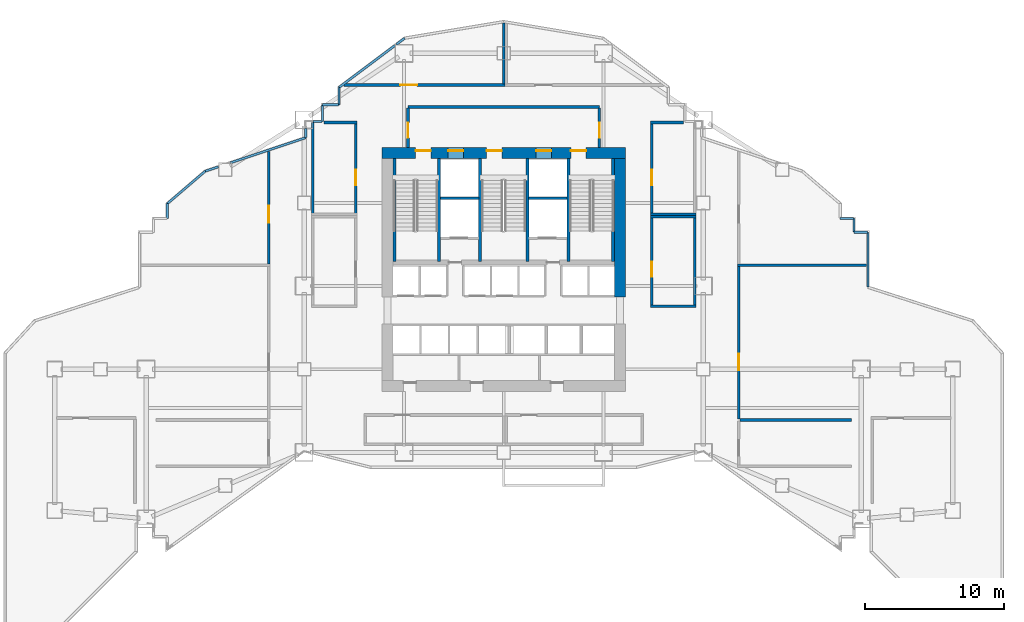
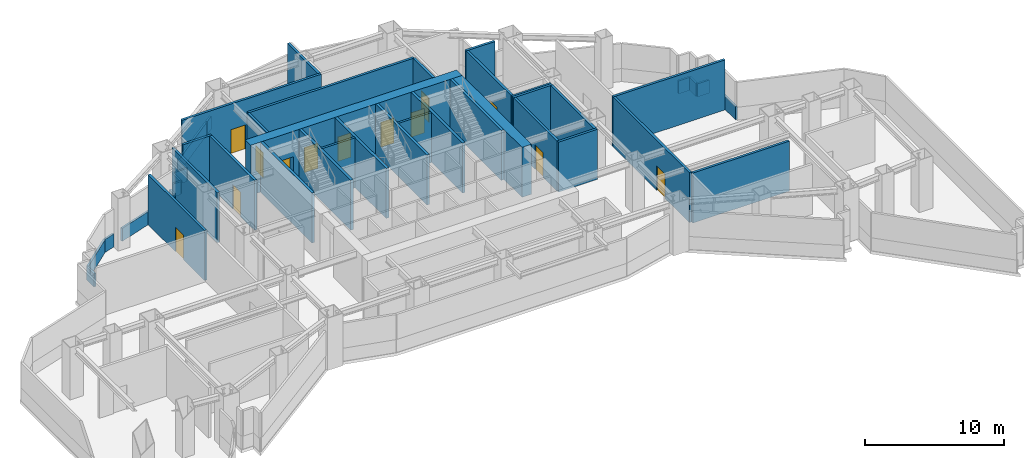
# One storey, part 4 of 12: 44 walls, 13 doors, 13 openings.
"""IFC4 building model written with IfcOpenShell, lengths in metres."""

from ifc_helpers import new_model, si_unit, direction, frame, frame_2d, origin, place, context, subcontext, project, spatial, rectangle, extrude, material, layer, layer_set, type_object, element, fill, save


model = new_model("IFC4")

# Units and contexts
model_context = context("Model", 3, precision=1e-05, world=origin(), true_north=direction((0.0, 1.0)))
body_context = subcontext(model_context, "Body", "Model", "MODEL_VIEW")
ifc_project = project(units=[si_unit("LENGTHUNIT", "METRE"), si_unit("AREAUNIT", "SQUARE_METRE"), si_unit("VOLUMEUNIT", "CUBIC_METRE"), si_unit("PLANEANGLEUNIT", "RADIAN"), si_unit("MASSUNIT", "GRAM", prefix="KILO")], contexts=[model_context])

# Site, building, storey
site_placement = place(None, origin())
site = spatial("IfcSite", under=ifc_project, at=site_placement, CompositionType="ELEMENT")
building_placement = place(site_placement, origin())
building = spatial("IfcBuilding", under=site, at=building_placement, Name="Haolan Belvedere Tower", CompositionType="ELEMENT")
storey_placement = place(building_placement, frame((0.0, 0.0, 43.0)))
storey = spatial("IfcBuildingStorey", under=building, at=storey_placement, Name="L10", CompositionType="ELEMENT", Elevation=43.0)

# Wall, openings, doors
ifc_material_1 = material(Name="Concrete C70/85", Category="concrete")
ifc_layer_1 = layer(ifc_material_1, 0.800048828125, Name="Concrete C70/85")
ifc_layer_set_1 = layer_set([ifc_layer_1], Name="Concrete C70/85")
wall_type_1 = type_object("IfcWallType", Name="WL-CORE-800", PredefinedType="SHEAR", material=ifc_layer_set_1)
wall_1_placement = place(storey_placement, frame((29.60009765625, 43.199951171875, 0.0), z_axis=(0.0, 0.0, 1.0), x_axis=(1.0, 0.0, 0.0)))
wall_1 = element("IfcWall", 1, at=wall_1_placement, inside=storey, type_object=wall_type_1, Name="L10 central core north shear wall", PredefinedType="SHEAR", context=body_context, shape_type="SweptSolid", body=[
    extrude(rectangle(XDim=17.599853515625, YDim=0.800048828125, at=frame_2d((8.7998046875, 0.0))), origin(), (0.0, 0.0, 1.0), 4.39990234375),
])
opening_1_placement = place(wall_1_placement, frame((2.449951171875, 0.0, 0.0)))
opening_1 = element("IfcOpeningElement", 2, at=opening_1_placement, cuts=wall_1, Name="Opening FD-03", PredefinedType="OPENING", context=body_context, shape_type="SweptSolid", body=[
    extrude(rectangle(XDim=1.10009765625, YDim=2.14990234375, at=frame_2d((0.550048828125, 1.074951171875))), frame((0.0, 0.409912109375, 0.0), z_axis=(0.0, -1.0, 0.0), x_axis=(1.0, 0.0, 0.0)), (0.0, 0.0, 1.0), 0.820068359375),
])
opening_2_placement = place(wall_1_placement, frame((7.56005859375, 0.0, 0.0)))
opening_2 = element("IfcOpeningElement", 3, at=opening_2_placement, cuts=wall_1, Name="Opening FD-03", PredefinedType="OPENING", context=body_context, shape_type="SweptSolid", body=[
    extrude(rectangle(XDim=1.10009765625, YDim=2.14990234375, at=frame_2d((0.550048828125, 1.074951171875))), frame((0.0, 0.409912109375, 0.0), z_axis=(0.0, -1.0, 0.0), x_axis=(1.0, 0.0, 0.0)), (0.0, 0.0, 1.0), 0.820068359375),
])
opening_3_placement = place(wall_1_placement, frame((13.64990234375, 0.0, 0.0)))
opening_3 = element("IfcOpeningElement", 4, at=opening_3_placement, cuts=wall_1, Name="Opening FD-03", PredefinedType="OPENING", context=body_context, shape_type="SweptSolid", body=[
    extrude(rectangle(XDim=1.10009765625, YDim=2.14990234375, at=frame_2d((0.550048828125, 1.074951171875))), frame((0.0, 0.409912109375, 0.0), z_axis=(0.0, -1.0, 0.0), x_axis=(1.0, 0.0, 0.0)), (0.0, 0.0, 1.0), 0.820068359375),
])
opening_4_placement = place(wall_1_placement, frame((4.780029296875, 0.0, 0.0)))
opening_4 = element("IfcOpeningElement", 5, at=opening_4_placement, cuts=wall_1, Name="Opening LD-01", PredefinedType="OPENING", context=body_context, shape_type="SweptSolid", body=[
    extrude(rectangle(XDim=1.10009765625, YDim=2.199951171875, at=frame_2d((0.550048828125, 1.10009765625))), frame((0.0, 0.409912109375, 0.0), z_axis=(0.0, -1.0, 0.0), x_axis=(1.0, 0.0, 0.0)), (0.0, 0.0, 1.0), 0.820068359375),
])
opening_5_placement = place(wall_1_placement, frame((11.139892578125, 0.0, 0.0)))
opening_5 = element("IfcOpeningElement", 6, at=opening_5_placement, cuts=wall_1, Name="Opening LD-01", PredefinedType="OPENING", context=body_context, shape_type="SweptSolid", body=[
    extrude(rectangle(XDim=1.10009765625, YDim=2.199951171875, at=frame_2d((0.550048828125, 1.10009765625))), frame((0.0, 0.409912109375, 0.0), z_axis=(0.0, -1.0, 0.0), x_axis=(1.0, 0.0, 0.0)), (0.0, 0.0, 1.0), 0.820068359375),
])
ifc_material_2 = material(Name="Galvanised fire-rated steel", Category="steel")
door_type_1 = type_object("IfcDoorType", Name="DR-FD90-1100", OperationType="NOTDEFINED", PredefinedType="DOOR", material=ifc_material_2)
door_1_placement = place(opening_1_placement, origin())
door_1 = element("IfcDoor", 7, at=door_1_placement, inside=storey, type_object=door_type_1, Name="L10 door CD-L10-ST1", OperationType="SINGLE_SWING_LEFT", OverallHeight=2.14990234375, OverallWidth=1.10009765625, PredefinedType="DOOR", context=body_context, shape_type="SweptSolid", body=[
    extrude(rectangle(XDim=1.10009765625, YDim=2.14990234375, at=frame_2d((0.550048828125, 1.074951171875))), frame((0.0, 0.18505859375, 0.0), z_axis=(0.0, -1.0, 0.0), x_axis=(1.0, 0.0, 0.0)), (0.0, 0.0, 1.0), 0.050048828125),
])
fill(opening_1, door_1)
door_2_placement = place(opening_2_placement, origin())
door_2 = element("IfcDoor", 8, at=door_2_placement, inside=storey, type_object=door_type_1, Name="L10 door CD-L10-ST3", OperationType="SINGLE_SWING_LEFT", OverallHeight=2.14990234375, OverallWidth=1.10009765625, PredefinedType="DOOR", context=body_context, shape_type="SweptSolid", body=[
    extrude(rectangle(XDim=1.10009765625, YDim=2.14990234375, at=frame_2d((0.550048828125, 1.074951171875))), frame((0.0, 0.18505859375, 0.0), z_axis=(0.0, -1.0, 0.0), x_axis=(1.0, 0.0, 0.0)), (0.0, 0.0, 1.0), 0.050048828125),
])
fill(opening_2, door_2)
door_3_placement = place(opening_3_placement, origin())
door_3 = element("IfcDoor", 9, at=door_3_placement, inside=storey, type_object=door_type_1, Name="L10 door CD-L10-ST2", OperationType="SINGLE_SWING_RIGHT", OverallHeight=2.14990234375, OverallWidth=1.10009765625, PredefinedType="DOOR", context=body_context, shape_type="SweptSolid", body=[
    extrude(rectangle(XDim=1.10009765625, YDim=2.14990234375, at=frame_2d((0.550048828125, 1.074951171875))), frame((0.0, 0.18505859375, 0.0), z_axis=(0.0, -1.0, 0.0), x_axis=(1.0, 0.0, 0.0)), (0.0, 0.0, 1.0), 0.050048828125),
])
fill(opening_3, door_3)
ifc_material_3 = material(Name="Brushed champagne stainless steel 316L", Category="steel")
door_type_2 = type_object("IfcDoorType", Name="DR-LIFT-1100", OperationType="SLIDING_TO_LEFT", PredefinedType="DOOR", material=ifc_material_3)
door_4_placement = place(opening_4_placement, origin())
door_4 = element("IfcDoor", 10, at=door_4_placement, inside=storey, type_object=door_type_2, Name="L10 door LD-L10-FF1", OperationType="SLIDING_TO_LEFT", OverallHeight=2.199951171875, OverallWidth=1.10009765625, PredefinedType="DOOR", context=body_context, shape_type="SweptSolid", body=[
    extrude(rectangle(XDim=1.10009765625, YDim=2.199951171875, at=frame_2d((0.550048828125, 1.10009765625))), frame((0.0, 0.18505859375, 0.0), z_axis=(0.0, -1.0, 0.0), x_axis=(1.0, 0.0, 0.0)), (0.0, 0.0, 1.0), 0.050048828125),
])
fill(opening_4, door_4)
door_5_placement = place(opening_5_placement, origin())
door_5 = element("IfcDoor", 11, at=door_5_placement, inside=storey, type_object=door_type_2, Name="L10 door LD-L10-FF2", OperationType="SLIDING_TO_LEFT", OverallHeight=2.199951171875, OverallWidth=1.10009765625, PredefinedType="DOOR", context=body_context, shape_type="SweptSolid", body=[
    extrude(rectangle(XDim=1.10009765625, YDim=2.199951171875, at=frame_2d((0.550048828125, 1.10009765625))), frame((0.0, 0.18505859375, 0.0), z_axis=(0.0, -1.0, 0.0), x_axis=(1.0, 0.0, 0.0)), (0.0, 0.0, 1.0), 0.050048828125),
])
fill(opening_5, door_5)

# Walls
wall_2_placement = place(storey_placement, frame((46.800048828125, 32.800048828125, 0.0), z_axis=(0.0, 0.0, 1.0), x_axis=(0.0, 1.0, 0.0)))
element("IfcWall", 12, at=wall_2_placement, inside=storey, type_object=wall_type_1, Name="L10 central core shear wall EN", PredefinedType="SHEAR", context=body_context, shape_type="SweptSolid", body=[
    extrude(rectangle(XDim=10.0, YDim=0.800048828125, at=frame_2d((5.0, 0.0))), origin(), (0.0, 0.0, 1.0), 4.39990234375),
])
ifc_material_4 = material(Name="Concrete C40/50", Category="concrete")
ifc_layer_2 = layer(ifc_material_4, 0.199951171875, Name="Concrete C40/50")
ifc_layer_set_2 = layer_set([ifc_layer_2], Name="Concrete C40/50")
wall_type_2 = type_object("IfcWallType", Name="WL-FIRE-200", PredefinedType="SOLIDWALL", material=ifc_layer_set_2)
wall_3_placement = place(storey_placement, frame((31.5, 46.52001953125, 0.0), z_axis=(0.0, 0.0, 1.0), x_axis=(1.0, 0.0, 0.0)))
element("IfcWall", 13, at=wall_3_placement, inside=storey, type_object=wall_type_2, Name="L10 interior partition IW-L10-FFL-N", PredefinedType="SOLIDWALL", context=body_context, shape_type="SweptSolid", body=[
    extrude(rectangle(XDim=13.800048828125, YDim=0.199951171875, at=frame_2d((6.89990234375, 0.0))), origin(), (0.0, 0.0, 1.0), 4.39990234375),
])

# Wall, opening, door
wall_4_placement = place(storey_placement, frame((31.5, 43.60009765625, 0.0), z_axis=(0.0, 0.0, 1.0), x_axis=(0.0, 1.0, 0.0)))
wall_4 = element("IfcWall", 14, at=wall_4_placement, inside=storey, type_object=wall_type_2, Name="L10 interior partition IW-L10-FFL-W", PredefinedType="SOLIDWALL", context=body_context, shape_type="SweptSolid", body=[
    extrude(rectangle(XDim=2.8349609375, YDim=0.199951171875, at=frame_2d((1.41748046875, 0.0))), origin(), (0.0, 0.0, 1.0), 4.39990234375),
])
opening_6_placement = place(wall_4_placement, frame((1.800048828125, 0.0, 0.0), z_axis=(0.0, 0.0, 1.0), x_axis=(-1.0, 0.0, 0.0)))
opening_6 = element("IfcOpeningElement", 15, at=opening_6_placement, cuts=wall_4, Name="Opening FD-03", PredefinedType="OPENING", context=body_context, shape_type="SweptSolid", body=[
    extrude(rectangle(XDim=1.10009765625, YDim=2.14990234375, at=frame_2d((0.550048828125, 1.074951171875))), frame((0.0, 0.10986328125, 0.0), z_axis=(0.0, -1.0, 0.0), x_axis=(1.0, 0.0, 0.0)), (0.0, 0.0, 1.0), 0.219970703125),
])
door_6_placement = place(opening_6_placement, origin())
door_6 = element("IfcDoor", 16, at=door_6_placement, inside=storey, type_object=door_type_1, Name="L10 door ID-L10-FFL-DW", OperationType="SINGLE_SWING_LEFT", OverallHeight=2.14990234375, OverallWidth=1.10009765625, PredefinedType="DOOR", context=body_context, shape_type="SweptSolid", body=[
    extrude(rectangle(XDim=1.10009765625, YDim=2.14990234375, at=frame_2d((0.550048828125, 1.074951171875))), frame((0.0, 0.02490234375, 0.0), z_axis=(0.0, -1.0, 0.0), x_axis=(1.0, 0.0, 0.0)), (0.0, 0.0, 1.0), 0.050048828125),
])
fill(opening_6, door_6)

wall_5_placement = place(storey_placement, frame((45.300048828125, 43.60009765625, 0.0), z_axis=(0.0, 0.0, 1.0), x_axis=(0.0, 1.0, 0.0)))
wall_5 = element("IfcWall", 17, at=wall_5_placement, inside=storey, type_object=wall_type_2, Name="L10 interior partition IW-L10-FFL-E", PredefinedType="SOLIDWALL", context=body_context, shape_type="SweptSolid", body=[
    extrude(rectangle(XDim=2.8349609375, YDim=0.199951171875, at=frame_2d((1.41748046875, 0.0))), origin(), (0.0, 0.0, 1.0), 4.39990234375),
])
opening_7_placement = place(wall_5_placement, frame((0.699951171875, 0.0, 0.0)))
opening_7 = element("IfcOpeningElement", 18, at=opening_7_placement, cuts=wall_5, Name="Opening FD-03", PredefinedType="OPENING", context=body_context, shape_type="SweptSolid", body=[
    extrude(rectangle(XDim=1.10009765625, YDim=2.14990234375, at=frame_2d((0.550048828125, 1.074951171875))), frame((0.0, 0.10986328125, 0.0), z_axis=(0.0, -1.0, 0.0), x_axis=(1.0, 0.0, 0.0)), (0.0, 0.0, 1.0), 0.219970703125),
])
door_7_placement = place(opening_7_placement, origin())
door_7 = element("IfcDoor", 19, at=door_7_placement, inside=storey, type_object=door_type_1, Name="L10 door ID-L10-FFL-DE", OperationType="SINGLE_SWING_RIGHT", OverallHeight=2.14990234375, OverallWidth=1.10009765625, PredefinedType="DOOR", context=body_context, shape_type="SweptSolid", body=[
    extrude(rectangle(XDim=1.10009765625, YDim=2.14990234375, at=frame_2d((0.550048828125, 1.074951171875))), frame((0.0, 0.02490234375, 0.0), z_axis=(0.0, -1.0, 0.0), x_axis=(1.0, 0.0, 0.0)), (0.0, 0.0, 1.0), 0.050048828125),
])
fill(opening_7, door_7)

wall_6_placement = place(storey_placement, frame((21.43994140625, 35.18505859375, 0.0), z_axis=(0.0, 0.0, 1.0), x_axis=(0.0, 1.0, 0.0)))
wall_6 = element("IfcWall", 20, at=wall_6_placement, inside=storey, type_object=wall_type_2, Name="L10 interior partition IW-L10-REF-W2-E", PredefinedType="SOLIDWALL", context=body_context, shape_type="SweptSolid", body=[
    extrude(rectangle(XDim=8.13818359375, YDim=0.199951171875, at=frame_2d((4.069091796875, 0.0))), origin(), (0.0, 0.0, 1.0), 4.39990234375),
])
opening_8_placement = place(wall_6_placement, frame((4.195068359375, 0.0, 0.0), z_axis=(0.0, 0.0, 1.0), x_axis=(-1.0, 0.0, 0.0)))
opening_8 = element("IfcOpeningElement", 21, at=opening_8_placement, cuts=wall_6, Name="Opening FD-02", PredefinedType="OPENING", context=body_context, shape_type="SweptSolid", body=[
    extrude(rectangle(XDim=1.199951171875, YDim=2.14990234375, at=frame_2d((0.60009765625, 1.074951171875))), frame((0.0, 0.10986328125, 0.0), z_axis=(0.0, -1.0, 0.0), x_axis=(1.0, 0.0, 0.0)), (0.0, 0.0, 1.0), 0.219970703125),
])
door_type_3 = type_object("IfcDoorType", Name="DR-FD90-1200", OperationType="NOTDEFINED", PredefinedType="DOOR", material=ifc_material_2)
door_8_placement = place(opening_8_placement, origin())
door_8 = element("IfcDoor", 22, at=door_8_placement, inside=storey, type_object=door_type_3, Name="L10 door ID-L10-REF-W2", OperationType="SINGLE_SWING_RIGHT", OverallHeight=2.14990234375, OverallWidth=1.199951171875, PredefinedType="DOOR", context=body_context, shape_type="SweptSolid", body=[
    extrude(rectangle(XDim=1.199951171875, YDim=2.14990234375, at=frame_2d((0.60009765625, 1.074951171875))), frame((0.0, 0.02490234375, 0.0), z_axis=(0.0, -1.0, 0.0), x_axis=(1.0, 0.0, 0.0)), (0.0, 0.0, 1.0), 0.050048828125),
])
fill(opening_8, door_8)

# Wall
wall_7_placement = place(storey_placement, frame((55.280029296875, 35.10009765625, 0.0), z_axis=(0.0, 0.0, 1.0), x_axis=(1.0, 0.0, 0.0)))
element("IfcWall", 23, at=wall_7_placement, inside=storey, type_object=wall_type_2, Name="L10 interior partition IW-L10-REF-E1-N", PredefinedType="SOLIDWALL", context=body_context, shape_type="SweptSolid", body=[
    extrude(rectangle(XDim=9.307861328125, YDim=0.199951171875, at=frame_2d((4.65380859375, 0.0))), origin(), (0.0, 0.0, 1.0), 4.39990234375),
])

# Wall, opening, door
wall_8_placement = place(storey_placement, frame((55.360107421875, 24.02001953125, 0.0), z_axis=(0.0, 0.0, 1.0), x_axis=(0.0, 1.0, 0.0)))
wall_8 = element("IfcWall", 24, at=wall_8_placement, inside=storey, type_object=wall_type_2, Name="L10 interior partition IW-L10-REF-E1-W", PredefinedType="SOLIDWALL", context=body_context, shape_type="SweptSolid", body=[
    extrude(rectangle(XDim=10.994873046875, YDim=0.199951171875, at=frame_2d((5.49755859375, 0.0))), origin(), (0.0, 0.0, 1.0), 4.39990234375),
])
opening_9_placement = place(wall_8_placement, frame((3.5, 0.0, 0.0)))
opening_9 = element("IfcOpeningElement", 25, at=opening_9_placement, cuts=wall_8, Name="Opening FD-02", PredefinedType="OPENING", context=body_context, shape_type="SweptSolid", body=[
    extrude(rectangle(XDim=1.199951171875, YDim=2.14990234375, at=frame_2d((0.60009765625, 1.074951171875))), frame((0.0, 0.10986328125, 0.0), z_axis=(0.0, -1.0, 0.0), x_axis=(1.0, 0.0, 0.0)), (0.0, 0.0, 1.0), 0.219970703125),
])
door_9_placement = place(opening_9_placement, origin())
door_9 = element("IfcDoor", 26, at=door_9_placement, inside=storey, type_object=door_type_3, Name="L10 door ID-L10-REF-E1", OperationType="SINGLE_SWING_RIGHT", OverallHeight=2.14990234375, OverallWidth=1.199951171875, PredefinedType="DOOR", context=body_context, shape_type="SweptSolid", body=[
    extrude(rectangle(XDim=1.199951171875, YDim=2.14990234375, at=frame_2d((0.60009765625, 1.074951171875))), frame((0.0, 0.02490234375, 0.0), z_axis=(0.0, -1.0, 0.0), x_axis=(1.0, 0.0, 0.0)), (0.0, 0.0, 1.0), 0.050048828125),
])
fill(opening_9, door_9)

# Walls
wall_9_placement = place(storey_placement, frame((25.412109375, 45.39990234375, 0.0), z_axis=(0.0, 0.0, 1.0), x_axis=(1.0, 0.0, 0.0)))
element("IfcWall", 27, at=wall_9_placement, inside=storey, type_object=wall_type_2, Name="L10 interior partition IW-L10-REF-WI2-N", PredefinedType="SOLIDWALL", context=body_context, shape_type="SweptSolid", body=[
    extrude(rectangle(XDim=2.387939453125, YDim=0.199951171875, at=frame_2d((1.19384765625, 0.0))), origin(), (0.0, 0.0, 1.0), 4.39990234375),
])
wall_10_placement = place(storey_placement, frame((24.6201171875, 38.844970703125, 0.0), z_axis=(0.0, 0.0, 1.0), x_axis=(0.0, 1.0, 0.0)))
element("IfcWall", 28, at=wall_10_placement, inside=storey, type_object=wall_type_2, Name="L10 interior partition IW-L10-REF-WI2-W", PredefinedType="SOLIDWALL", context=body_context, shape_type="SweptSolid", body=[
    extrude(rectangle(XDim=6.54296875, YDim=0.199951171875, at=frame_2d((3.271484375, 0.0))), origin(), (0.0, 0.0, 1.0), 4.39990234375),
])

# Wall, opening, door
wall_11_placement = place(storey_placement, frame((27.719970703125, 38.844970703125, 0.0), z_axis=(0.0, 0.0, 1.0), x_axis=(0.0, 1.0, 0.0)))
wall_11 = element("IfcWall", 29, at=wall_11_placement, inside=storey, type_object=wall_type_2, Name="L10 interior partition IW-L10-REF-WI2-E", PredefinedType="SOLIDWALL", context=body_context, shape_type="SweptSolid", body=[
    extrude(rectangle(XDim=6.469970703125, YDim=0.199951171875, at=frame_2d((3.23486328125, 0.0))), origin(), (0.0, 0.0, 1.0), 4.39990234375),
])
opening_10_placement = place(wall_11_placement, frame((3.135009765625, 0.0, 0.0), z_axis=(0.0, 0.0, 1.0), x_axis=(-1.0, 0.0, 0.0)))
opening_10 = element("IfcOpeningElement", 30, at=opening_10_placement, cuts=wall_11, Name="Opening FD-03", PredefinedType="OPENING", context=body_context, shape_type="SweptSolid", body=[
    extrude(rectangle(XDim=1.10009765625, YDim=2.14990234375, at=frame_2d((0.550048828125, 1.074951171875))), frame((0.0, 0.10986328125, 0.0), z_axis=(0.0, -1.0, 0.0), x_axis=(1.0, 0.0, 0.0)), (0.0, 0.0, 1.0), 0.219970703125),
])
door_10_placement = place(opening_10_placement, origin())
door_10 = element("IfcDoor", 31, at=door_10_placement, inside=storey, type_object=door_type_1, Name="L10 door ID-L10-REF-WI2", OperationType="SINGLE_SWING_RIGHT", OverallHeight=2.14990234375, OverallWidth=1.10009765625, PredefinedType="DOOR", context=body_context, shape_type="SweptSolid", body=[
    extrude(rectangle(XDim=1.10009765625, YDim=2.14990234375, at=frame_2d((0.550048828125, 1.074951171875))), frame((0.0, 0.02490234375, 0.0), z_axis=(0.0, -1.0, 0.0), x_axis=(1.0, 0.0, 0.0)), (0.0, 0.0, 1.0), 0.050048828125),
])
fill(opening_10, door_10)

# Walls
for number, where, z_axis, x_axis, name in (
    (32, (49.0, 38.60009765625, 0.0), (0.0, 0.0, 1.0), (1.0, 0.0, 0.0), "L10 interior partition IW-L10-REF-EI1-N"),
    (33, (49.0, 32.14990234375, 0.0), (0.0, 0.0, 1.0), (1.0, 0.0, 0.0), "L10 interior partition IW-L10-REF-EI1-S"),
):
    element("IfcWall", number, at=place(storey_placement, frame(where, z_axis=z_axis, x_axis=x_axis)), inside=storey, type_object=wall_type_2, Name=name, PredefinedType="SOLIDWALL", context=body_context, shape_type="SweptSolid", body=[
        extrude(rectangle(XDim=3.260009765625, YDim=0.199951171875, at=frame_2d((1.6298828125, 0.0))), origin(), (0.0, 0.0, 1.0), 4.39990234375),
    ])

# Wall, opening, door
wall_12_placement = place(storey_placement, frame((49.080078125, 32.235107421875, 0.0), z_axis=(0.0, 0.0, 1.0), x_axis=(0.0, 1.0, 0.0)))
wall_12 = element("IfcWall", 34, at=wall_12_placement, inside=storey, type_object=wall_type_2, Name="L10 interior partition IW-L10-REF-EI1-W", PredefinedType="SOLIDWALL", context=body_context, shape_type="SweptSolid", body=[
    extrude(rectangle(XDim=6.27978515625, YDim=0.199951171875, at=frame_2d((3.139892578125, 0.0))), origin(), (0.0, 0.0, 1.0), 4.39990234375),
])
opening_11_placement = place(wall_12_placement, frame((2.034912109375, 0.0, 0.0)))
opening_11 = element("IfcOpeningElement", 35, at=opening_11_placement, cuts=wall_12, Name="Opening FD-03", PredefinedType="OPENING", context=body_context, shape_type="SweptSolid", body=[
    extrude(rectangle(XDim=1.10009765625, YDim=2.14990234375, at=frame_2d((0.550048828125, 1.074951171875))), frame((0.0, 0.10986328125, 0.0), z_axis=(0.0, -1.0, 0.0), x_axis=(1.0, 0.0, 0.0)), (0.0, 0.0, 1.0), 0.219970703125),
])
door_11_placement = place(opening_11_placement, origin())
door_11 = element("IfcDoor", 36, at=door_11_placement, inside=storey, type_object=door_type_1, Name="L10 door ID-L10-REF-EI1", OperationType="SINGLE_SWING_RIGHT", OverallHeight=2.14990234375, OverallWidth=1.10009765625, PredefinedType="DOOR", context=body_context, shape_type="SweptSolid", body=[
    extrude(rectangle(XDim=1.10009765625, YDim=2.14990234375, at=frame_2d((0.550048828125, 1.074951171875))), frame((0.0, 0.02490234375, 0.0), z_axis=(0.0, -1.0, 0.0), x_axis=(1.0, 0.0, 0.0)), (0.0, 0.0, 1.0), 0.050048828125),
])
fill(opening_11, door_11)

# Walls
wall_13_placement = place(storey_placement, frame((52.179931640625, 32.235107421875, 0.0), z_axis=(0.0, 0.0, 1.0), x_axis=(0.0, 1.0, 0.0)))
element("IfcWall", 37, at=wall_13_placement, inside=storey, type_object=wall_type_2, Name="L10 interior partition IW-L10-REF-EI1-E", PredefinedType="SOLIDWALL", context=body_context, shape_type="SweptSolid", body=[
    extrude(rectangle(XDim=6.27978515625, YDim=0.199951171875, at=frame_2d((3.139892578125, 0.0))), origin(), (0.0, 0.0, 1.0), 4.39990234375),
])
wall_14_placement = place(storey_placement, frame((49.0, 45.39990234375, 0.0), z_axis=(0.0, 0.0, 1.0), x_axis=(1.0, 0.0, 0.0)))
element("IfcWall", 38, at=wall_14_placement, inside=storey, type_object=wall_type_2, Name="L10 interior partition IW-L10-REF-EI2-N", PredefinedType="SOLIDWALL", context=body_context, shape_type="SweptSolid", body=[
    extrude(rectangle(XDim=2.387939453125, YDim=0.199951171875, at=frame_2d((1.19384765625, 0.0))), origin(), (0.0, 0.0, 1.0), 4.39990234375),
])
wall_15_placement = place(storey_placement, frame((49.0, 38.760009765625, 0.0), z_axis=(0.0, 0.0, 1.0), x_axis=(1.0, 0.0, 0.0)))
element("IfcWall", 39, at=wall_15_placement, inside=storey, type_object=wall_type_2, Name="L10 interior partition IW-L10-REF-EI2-S", PredefinedType="SOLIDWALL", context=body_context, shape_type="SweptSolid", body=[
    extrude(rectangle(XDim=3.260009765625, YDim=0.199951171875, at=frame_2d((1.6298828125, 0.0))), origin(), (0.0, 0.0, 1.0), 4.39990234375),
])

# Wall, opening, door
wall_16_placement = place(storey_placement, frame((49.080078125, 38.844970703125, 0.0), z_axis=(0.0, 0.0, 1.0), x_axis=(0.0, 1.0, 0.0)))
wall_16 = element("IfcWall", 40, at=wall_16_placement, inside=storey, type_object=wall_type_2, Name="L10 interior partition IW-L10-REF-EI2-W", PredefinedType="SOLIDWALL", context=body_context, shape_type="SweptSolid", body=[
    extrude(rectangle(XDim=6.469970703125, YDim=0.199951171875, at=frame_2d((3.23486328125, 0.0))), origin(), (0.0, 0.0, 1.0), 4.39990234375),
])
opening_12_placement = place(wall_16_placement, frame((2.034912109375, 0.0, 0.0)))
opening_12 = element("IfcOpeningElement", 41, at=opening_12_placement, cuts=wall_16, Name="Opening FD-03", PredefinedType="OPENING", context=body_context, shape_type="SweptSolid", body=[
    extrude(rectangle(XDim=1.10009765625, YDim=2.14990234375, at=frame_2d((0.550048828125, 1.074951171875))), frame((0.0, 0.10986328125, 0.0), z_axis=(0.0, -1.0, 0.0), x_axis=(1.0, 0.0, 0.0)), (0.0, 0.0, 1.0), 0.219970703125),
])
door_12_placement = place(opening_12_placement, origin())
door_12 = element("IfcDoor", 42, at=door_12_placement, inside=storey, type_object=door_type_1, Name="L10 door ID-L10-REF-EI2", OperationType="SINGLE_SWING_LEFT", OverallHeight=2.14990234375, OverallWidth=1.10009765625, PredefinedType="DOOR", context=body_context, shape_type="SweptSolid", body=[
    extrude(rectangle(XDim=1.10009765625, YDim=2.14990234375, at=frame_2d((0.550048828125, 1.074951171875))), frame((0.0, 0.02490234375, 0.0), z_axis=(0.0, -1.0, 0.0), x_axis=(1.0, 0.0, 0.0)), (0.0, 0.0, 1.0), 0.050048828125),
])
fill(opening_12, door_12)

wall_17_placement = place(storey_placement, frame((26.88671875, 48.10009765625, 0.0), z_axis=(0.0, 0.0, 1.0), x_axis=(1.0, 0.0, 0.0)))
wall_17 = element("IfcWall", 43, at=wall_17_placement, inside=storey, type_object=wall_type_2, Name="L10 interior partition IW-L10-REF-NW-S", PredefinedType="SOLIDWALL", context=body_context, shape_type="SweptSolid", body=[
    extrude(rectangle(XDim=11.59326171875, YDim=0.199951171875, at=frame_2d((5.796630859375, 0.0))), origin(), (0.0, 0.0, 1.0), 4.39990234375),
])
opening_13_placement = place(wall_17_placement, frame((4.063232421875, 0.0, 0.0)))
opening_13 = element("IfcOpeningElement", 44, at=opening_13_placement, cuts=wall_17, Name="Opening FD-02", PredefinedType="OPENING", context=body_context, shape_type="SweptSolid", body=[
    extrude(rectangle(XDim=1.199951171875, YDim=2.14990234375, at=frame_2d((0.60009765625, 1.074951171875))), frame((0.0, 0.10986328125, 0.0), z_axis=(0.0, -1.0, 0.0), x_axis=(1.0, 0.0, 0.0)), (0.0, 0.0, 1.0), 0.219970703125),
])
door_13_placement = place(opening_13_placement, origin())
door_13 = element("IfcDoor", 45, at=door_13_placement, inside=storey, type_object=door_type_3, Name="L10 door ID-L10-REF-NW", OperationType="SINGLE_SWING_LEFT", OverallHeight=2.14990234375, OverallWidth=1.199951171875, PredefinedType="DOOR", context=body_context, shape_type="SweptSolid", body=[
    extrude(rectangle(XDim=1.199951171875, YDim=2.14990234375, at=frame_2d((0.60009765625, 1.074951171875))), frame((0.0, 0.02490234375, 0.0), z_axis=(0.0, -1.0, 0.0), x_axis=(1.0, 0.0, 0.0)), (0.0, 0.0, 1.0), 0.050048828125),
])
fill(opening_13, door_13)

# Walls
wall_18_placement = place(storey_placement, frame((38.39990234375, 48.18505859375, 0.0), z_axis=(0.0, 0.0, 1.0), x_axis=(0.0, 1.0, 0.0)))
element("IfcWall", 46, at=wall_18_placement, inside=storey, type_object=wall_type_2, Name="L10 interior partition IW-L10-REF-NW-E", PredefinedType="SOLIDWALL", context=body_context, shape_type="SweptSolid", body=[
    extrude(rectangle(XDim=4.400146484375, YDim=0.199951171875, at=frame_2d((2.2001953125, 0.0))), origin(), (0.0, 0.0, 1.0), 4.39990234375),
])
wall_19_placement = place(storey_placement, frame((55.445068359375, 23.93994140625, 0.0), z_axis=(0.0, 0.0, 1.0), x_axis=(1.0, 0.0, 0.0)))
element("IfcWall", 47, at=wall_19_placement, inside=storey, type_object=wall_type_2, Name="L10 interior partition IW-L10-PLT-TNK-N", PredefinedType="SOLIDWALL", context=body_context, shape_type="SweptSolid", body=[
    extrude(rectangle(XDim=8.034912109375, YDim=0.199951171875, at=frame_2d((4.017578125, 0.0))), origin(), (0.0, 0.0, 1.0), 4.39990234375),
])
ifc_material_5 = material(Name="Precast concrete C40/50", Category="concrete")
ifc_layer_3 = layer(ifc_material_5, 0.159912109375, Name="Precast concrete C40/50")
ifc_layer_set_3 = layer_set([ifc_layer_3], Name="Precast concrete C40/50")
wall_type_3 = type_object("IfcWallType", Name="WL-PAR-160", PredefinedType="PARAPET", material=ifc_layer_set_3)
wall_20_placement = place(storey_placement, frame((64.679931640625, 33.54248046875, 0.0), z_axis=(0.0, 0.0, 1.0), x_axis=(0.0, 1.0, 0.0)))
element("IfcWall", 48, at=wall_20_placement, inside=storey, type_object=wall_type_3, Name="L10 refuge open-band parapet 29.1", PredefinedType="PARAPET", context=body_context, shape_type="SweptSolid", body=[
    extrude(rectangle(XDim=3.9375, YDim=0.159912109375, at=frame_2d((1.96875, 0.0))), origin(), (0.0, 0.0, 1.0), 1.14990234375),
])
for number, where, z_axis, x_axis, name in (
    (49, (64.64990234375, 37.47998046875, 0.0), (0.0, 0.0, 1.0), (-1.0, 0.0, 0.0), "L10 refuge open-band parapet 30.1"),
    (50, (63.679931640625, 37.510009765625, 0.0), (0.0, 0.0, 1.0), (0.0, 1.0, 0.0), "L10 refuge open-band parapet 31.1"),
    (51, (63.64990234375, 38.47998046875, 0.0), (0.0, 0.0, 1.0), (-1.0, 0.0, 0.0), "L10 refuge open-band parapet 32.1"),
):
    element("IfcWall", number, at=place(storey_placement, frame(where, z_axis=z_axis, x_axis=x_axis)), inside=storey, type_object=wall_type_3, Name=name, PredefinedType="PARAPET", context=body_context, shape_type="SweptSolid", body=[
        extrude(rectangle(XDim=0.969970703125, YDim=0.159912109375, at=frame_2d((0.48486328125, 0.0))), origin(), (0.0, 0.0, 1.0), 1.14990234375),
    ])
wall_21_placement = place(storey_placement, frame((31.24853515625, 51.486328125, 0.0), z_axis=(0.0, 0.0, 1.0), x_axis=(-0.800039555223, -0.59994725608, 0.0)))
element("IfcWall", 52, at=wall_21_placement, inside=storey, type_object=wall_type_3, Name="L10 refuge open-band parapet 44.1", PredefinedType="PARAPET", context=body_context, shape_type="SweptSolid", body=[
    extrude(rectangle(XDim=0.74072265625, YDim=0.159912109375, at=frame_2d((0.370361328125, 0.0))), origin(), (0.0, 0.0, 1.0), 1.14990234375),
])
wall_22_placement = place(storey_placement, frame((30.55810546875, 50.968505859375, 0.0), z_axis=(0.0, 0.0, 1.0), x_axis=(-0.8, -0.6, 0.0)))
element("IfcWall", 53, at=wall_22_placement, inside=storey, type_object=wall_type_3, Name="L10 refuge open-band parapet 44.2", PredefinedType="PARAPET", context=body_context, shape_type="SweptSolid", body=[
    extrude(rectangle(XDim=5.047607421875, YDim=0.159912109375, at=frame_2d((2.52392578125, 0.0))), origin(), (0.0, 0.0, 1.0), 1.14990234375),
])
wall_23_placement = place(storey_placement, frame((26.52001953125, 47.925048828125, 0.0), z_axis=(0.0, 0.0, 1.0), x_axis=(0.0, -1.0, 0.0)))
element("IfcWall", 54, at=wall_23_placement, inside=storey, type_object=wall_type_3, Name="L10 refuge open-band parapet 45.1", PredefinedType="PARAPET", context=body_context, shape_type="SweptSolid", body=[
    extrude(rectangle(XDim=1.2451171875, YDim=0.159912109375, at=frame_2d((0.62255859375, 0.0))), origin(), (0.0, 0.0, 1.0), 1.14990234375),
])
for number, where, z_axis, x_axis, name in (
    (55, (26.489990234375, 46.679931640625, 0.0), (0.0, 0.0, 1.0), (-1.0, 0.0, 0.0), "L10 refuge open-band parapet 46.1"),
    (56, (25.320068359375, 46.64990234375, 0.0), (0.0, 0.0, 1.0), (0.0, -1.0, 0.0), "L10 refuge open-band parapet 47.1"),
):
    element("IfcWall", number, at=place(storey_placement, frame(where, z_axis=z_axis, x_axis=x_axis)), inside=storey, type_object=wall_type_3, Name=name, PredefinedType="PARAPET", context=body_context, shape_type="SweptSolid", body=[
        extrude(rectangle(XDim=1.169921875, YDim=0.159912109375, at=frame_2d((0.5849609375, 0.0))), origin(), (0.0, 0.0, 1.0), 1.14990234375),
    ])
wall_24_placement = place(storey_placement, frame((25.2900390625, 45.47998046875, 0.0), z_axis=(0.0, 0.0, 1.0), x_axis=(-1.0, 0.0, 0.0)))
element("IfcWall", 57, at=wall_24_placement, inside=storey, type_object=wall_type_3, Name="L10 refuge open-band parapet 48.1", PredefinedType="PARAPET", context=body_context, shape_type="SweptSolid", body=[
    extrude(rectangle(XDim=0.64794921875, YDim=0.159912109375, at=frame_2d((0.323974609375, 0.0))), origin(), (0.0, 0.0, 1.0), 1.14990234375),
])
wall_25_placement = place(storey_placement, frame((24.1201171875, 44.9580078125, 0.0), z_axis=(0.0, 0.0, 1.0), x_axis=(0.0, -1.0, 0.0)))
element("IfcWall", 58, at=wall_25_placement, inside=storey, type_object=wall_type_3, Name="L10 refuge open-band parapet 49.1", PredefinedType="PARAPET", context=body_context, shape_type="SweptSolid", body=[
    extrude(rectangle(XDim=0.64453125, YDim=0.159912109375, at=frame_2d((0.322265625, 0.0))), origin(), (0.0, 0.0, 1.0), 1.14990234375),
])
wall_26_placement = place(storey_placement, frame((24.091552734375, 44.303955078125, 0.0), z_axis=(0.0, 0.0, 1.0), x_axis=(-0.948683298051, -0.316227766017, 0.0)))
element("IfcWall", 59, at=wall_26_placement, inside=storey, type_object=wall_type_3, Name="L10 refuge open-band parapet 50.1", PredefinedType="PARAPET", context=body_context, shape_type="SweptSolid", body=[
    extrude(rectangle(XDim=5.72998046875, YDim=0.159912109375, at=frame_2d((2.864990234375, 0.0))), origin(), (0.0, 0.0, 1.0), 1.14990234375),
])
wall_27_placement = place(storey_placement, frame((17.80810546875, 42.20947265625, 0.0), z_axis=(0.0, 0.0, 1.0), x_axis=(-0.948707727558, -0.316154468056, 0.0)))
element("IfcWall", 60, at=wall_27_placement, inside=storey, type_object=wall_type_3, Name="L10 refuge open-band parapet 50.2", PredefinedType="PARAPET", context=body_context, shape_type="SweptSolid", body=[
    extrude(rectangle(XDim=0.999267578125, YDim=0.159912109375, at=frame_2d((0.49951171875, 0.0))), origin(), (0.0, 0.0, 1.0), 1.14990234375),
])
wall_28_placement = place(storey_placement, frame((16.860107421875, 41.8935546875, 0.0), z_axis=(0.0, 0.0, 1.0), x_axis=(-0.759247051556, -0.650802515902, 0.0)))
element("IfcWall", 61, at=wall_28_placement, inside=storey, type_object=wall_type_3, Name="L10 refuge open-band parapet 51.1", PredefinedType="PARAPET", context=body_context, shape_type="SweptSolid", body=[
    extrude(rectangle(XDim=3.60888671875, YDim=0.159912109375, at=frame_2d((1.804443359375, 0.0))), origin(), (0.0, 0.0, 1.0), 1.14990234375),
])
wall_29_placement = place(storey_placement, frame((14.1201171875, 39.544921875, 0.0), z_axis=(0.0, 0.0, 1.0), x_axis=(0.0, -1.0, 0.0)))
element("IfcWall", 62, at=wall_29_placement, inside=storey, type_object=wall_type_3, Name="L10 refuge open-band parapet 52.1", PredefinedType="PARAPET", context=body_context, shape_type="SweptSolid", body=[
    extrude(rectangle(XDim=1.06494140625, YDim=0.159912109375, at=frame_2d((0.532470703125, 0.0))), origin(), (0.0, 0.0, 1.0), 1.14990234375),
])
ifc_layer_4 = layer(ifc_material_5, 0.179931640625, Name="Precast concrete C40/50")
ifc_layer_set_4 = layer_set([ifc_layer_4], Name="Precast concrete C40/50")
wall_type_4 = type_object("IfcWallType", Name="WL-SHAFT-180", PredefinedType="SOLIDWALL", material=ifc_layer_set_4)
for number, where, z_axis, x_axis, name in (
    (63, (33.8349609375, 39.949951171875, 0.0), (0.0, 0.0, 1.0), (1.0, 0.0, 0.0), "L10 interior partition IW-L10-FF1-S"),
    (64, (40.195068359375, 39.949951171875, 0.0), (0.0, 0.0, 1.0), (1.0, 0.0, 0.0), "L10 interior partition IW-L10-FF2-S"),
):
    element("IfcWall", number, at=place(storey_placement, frame(where, z_axis=z_axis, x_axis=x_axis)), inside=storey, type_object=wall_type_4, Name=name, PredefinedType="SOLIDWALL", context=body_context, shape_type="SweptSolid", body=[
        extrude(rectangle(XDim=2.77001953125, YDim=0.179931640625, at=frame_2d((1.385009765625, 0.0))), origin(), (0.0, 0.0, 1.0), 4.39990234375),
    ])
ifc_material_6 = material(Name="Concrete C50/60", Category="concrete")
ifc_layer_5 = layer(ifc_material_6, 0.219970703125, Name="Concrete C50/60")
ifc_layer_set_5 = layer_set([ifc_layer_5], Name="Concrete C50/60")
wall_type_5 = type_object("IfcWallType", Name="WL-STAIR-220", PredefinedType="SHEAR", material=ifc_layer_set_5)
for number, where, z_axis, x_axis, name in (
    (65, (30.511962890625, 35.389892578125, 0.0), (0.0, 0.0, 1.0), (0.0, 1.0, 0.0), "L10 structural stair core wall ST1W"),
    (66, (33.739990234375, 35.389892578125, 0.0), (0.0, 0.0, 1.0), (0.0, 1.0, 0.0), "L10 structural stair core wall ST1E"),
    (67, (36.699951171875, 35.389892578125, 0.0), (0.0, 0.0, 1.0), (0.0, 1.0, 0.0), "L10 structural stair core wall ST3W"),
    (68, (40.10009765625, 35.389892578125, 0.0), (0.0, 0.0, 1.0), (0.0, 1.0, 0.0), "L10 structural stair core wall ST3E"),
    (69, (43.06005859375, 35.389892578125, 0.0), (0.0, 0.0, 1.0), (0.0, 1.0, 0.0), "L10 structural stair core wall ST2W"),
    (70, (46.2880859375, 35.389892578125, 0.0), (0.0, 0.0, 1.0), (0.0, 1.0, 0.0), "L10 structural stair core wall ST2E"),
):
    element("IfcWall", number, at=place(storey_placement, frame(where, z_axis=z_axis, x_axis=x_axis)), inside=storey, type_object=wall_type_5, Name=name, PredefinedType="SHEAR", context=body_context, shape_type="SweptSolid", body=[
        extrude(rectangle(XDim=7.41015625, YDim=0.219970703125, at=frame_2d((3.705078125, 0.0))), origin(), (0.0, 0.0, 1.0), 4.39990234375),
    ])

save(model, "model.ifc")
